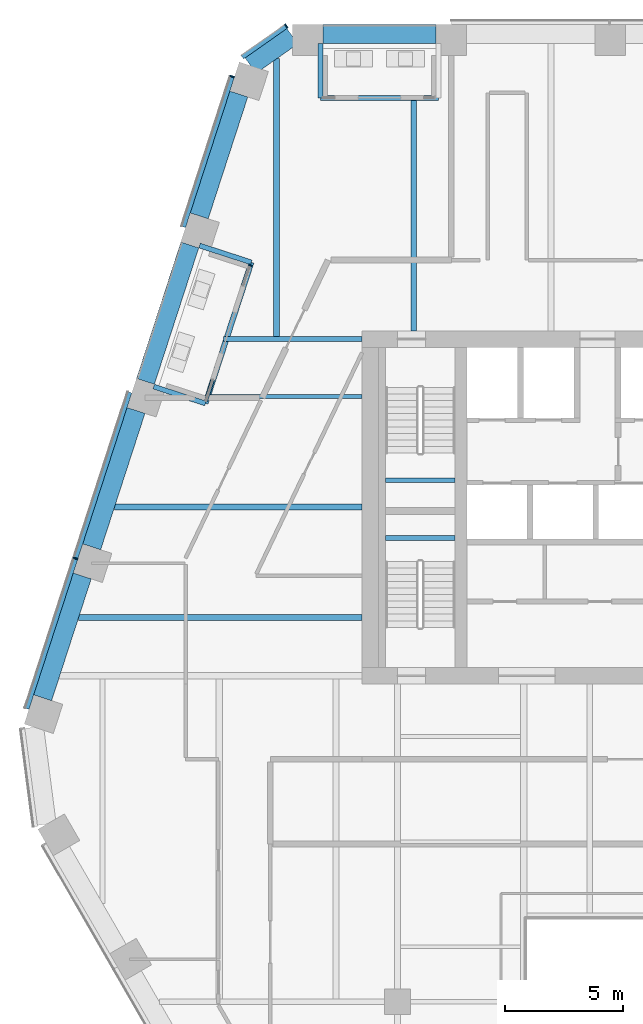
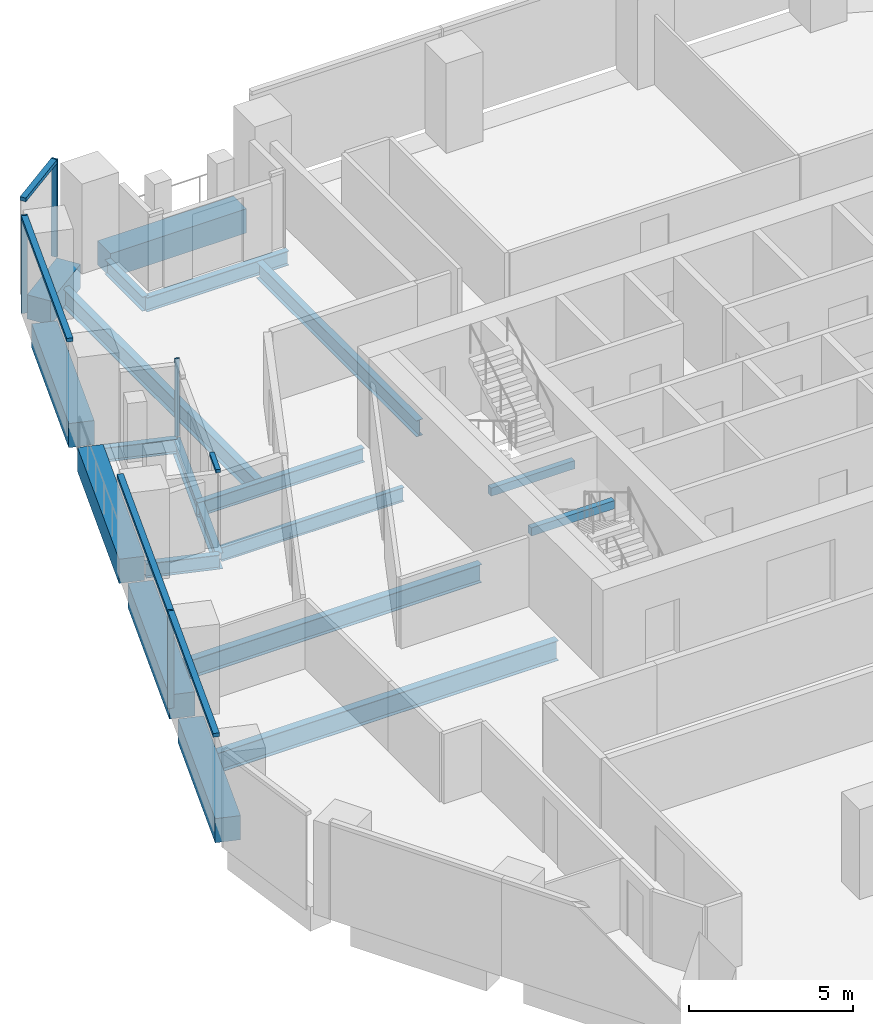
# One storey, part 8 of 26: 19 beams, 9 members, 3 elements without a shape of their own.
"""IFC4 building model written with IfcOpenShell, lengths in metres."""

from ifc_helpers import new_model, si_unit, direction, frame, origin, origin_2d, place, context, subcontext, project, spatial, rectangle, i_section, extrude, material, layer, layer_set, material_profile, profile_set, type_object, element, aggregate, save


model = new_model("IFC4")

# Units and contexts
model_context = context("Model", 3, precision=1e-05, world=origin(), true_north=direction((0.0, 1.0)))
body_context = subcontext(model_context, "Body", "Model", "MODEL_VIEW")
ifc_project = project(units=[si_unit("LENGTHUNIT", "METRE"), si_unit("AREAUNIT", "SQUARE_METRE"), si_unit("VOLUMEUNIT", "CUBIC_METRE"), si_unit("PLANEANGLEUNIT", "RADIAN"), si_unit("MASSUNIT", "GRAM", prefix="KILO")], contexts=[model_context])

# Site, building, storey
site_placement = place(None, origin())
site = spatial("IfcSite", under=ifc_project, at=site_placement, CompositionType="ELEMENT")
building_placement = place(site_placement, origin())
building = spatial("IfcBuilding", under=site, at=building_placement, Name="Isthmus Gate Tower", CompositionType="ELEMENT")
storey_placement = place(building_placement, frame((0.0, 0.0, 203.64990234375)))
storey = spatial("IfcBuildingStorey", under=building, at=storey_placement, Name="L51", CompositionType="ELEMENT", Elevation=203.64990234375)

# Curtain wall, member
ifc_material_1 = material(Name="Aluminium, pale champagne anodised", Category="aluminium")
ifc_layer_1 = layer(ifc_material_1, 0.199951171875)
ifc_layer_set_1 = layer_set([ifc_layer_1], Name="CW-1 UNITISED CURTAIN WALL 200 DEEP")
curtain_wall_type_1 = type_object("IfcCurtainWallType", Name="CW-1 UNITISED CURTAIN WALL 200 DEEP", PredefinedType="NOTDEFINED", material=ifc_layer_set_1)
curtain_wall_1_placement = place(storey_placement, origin())
curtain_wall_1 = element("IfcCurtainWall", 1, at=curtain_wall_1_placement, inside=storey, type_object=curtain_wall_type_1, Name="CW-1 N-NW L51", PredefinedType="NOTDEFINED")
ifc_material_2 = material(Name="Aluminium, pale champagne anodised", Category="aluminium")
ifc_material_profile_1 = material_profile(ifc_material_2, rectangle(XDim=0.06005859375, YDim=0.199951171875, at=origin_2d()), Name="60x200")
ifc_profile_set_1 = profile_set([ifc_material_profile_1], Name="Aluminium, pale champagne anodised")
member_type_1 = type_object("IfcMemberType", Name="CW-1 MULLION 60 X 200", PredefinedType="MULLION", material=ifc_profile_set_1)
member_1_placement = place(storey_placement, frame((-18.216552734375, 27.943115234375, 0.0), z_axis=(0.0, 0.0, 1.0), x_axis=(-0.81785959165, -0.57541783805, 0.0)))
member_1 = element("IfcMember", 2, at=member_1_placement, type_object=member_type_1, Name="CW-1 mullion", PredefinedType="MULLION", context=body_context, shape_type="SweptSolid", body=[
    extrude(rectangle(XDim=0.06005859375, YDim=0.199951171875, at=origin_2d()), origin(), (0.0, 0.0, 1.0), 3.650146484375),
])

# Curtain wall, members
curtain_wall_2_placement = place(storey_placement, origin())
curtain_wall_2 = element("IfcCurtainWall", 3, at=curtain_wall_2_placement, inside=storey, type_object=curtain_wall_type_1, Name="CW-1 NW L51", PredefinedType="NOTDEFINED")
member_2_placement = place(storey_placement, frame((-20.52001953125, 25.799072265625, 0.0), z_axis=(0.0, 0.0, 1.0), x_axis=(-0.309016994375, -0.951056516295, 0.0)))
member_2 = element("IfcMember", 4, at=member_2_placement, type_object=member_type_1, Name="CW-1 mullion", PredefinedType="MULLION", context=body_context, shape_type="SweptSolid", body=[
    extrude(rectangle(XDim=0.06005859375, YDim=0.199951171875, at=origin_2d()), origin(), (0.0, 0.0, 1.0), 3.650146484375),
])
member_3_placement = place(storey_placement, frame((-27.1708984375, 5.330078125, 0.0), z_axis=(0.0, 0.0, 1.0), x_axis=(-0.309016994375, -0.951056516295, 0.0)))
member_3 = element("IfcMember", 5, at=member_3_placement, type_object=member_type_1, Name="CW-1 mullion", PredefinedType="MULLION", context=body_context, shape_type="SweptSolid", body=[
    extrude(rectangle(XDim=0.06005859375, YDim=0.199951171875, at=origin_2d()), origin(), (0.0, 0.0, 1.0), 3.650146484375),
])

# Member
ifc_material_3 = material(Name="Aluminium, pale champagne anodised", Category="aluminium")
ifc_material_profile_2 = material_profile(ifc_material_3, rectangle(XDim=0.199951171875, YDim=0.139892578125, at=origin_2d()), Name="200x140")
ifc_profile_set_2 = profile_set([ifc_material_profile_2], Name="Aluminium, pale champagne anodised")
member_type_2 = type_object("IfcMemberType", Name="CW-1 TRANSOM 200 X 140", PredefinedType="USERDEFINED", material=ifc_profile_set_2)
member_4_placement = place(storey_placement, frame((-18.2412109375, 27.92578125, 3.580078125), z_axis=(-0.817868595604, -0.575405040233, 0.0), x_axis=(0.575405040233, -0.817868595604, 0.0)))
member_4 = element("IfcMember", 6, at=member_4_placement, type_object=member_type_2, Name="CW-1 transom", ObjectType="TRANSOM", PredefinedType="USERDEFINED", context=body_context, shape_type="SweptSolid", body=[
    extrude(rectangle(XDim=0.199951171875, YDim=0.139892578125, at=origin_2d()), origin(), (0.0, 0.0, 1.0), 2.258544921875),
])

aggregate(curtain_wall_1, [member_1, member_4])

member_5_placement = place(storey_placement, frame((-20.529296875, 25.7705078125, 3.580078125), z_axis=(-0.309015834351, -0.951056893209, 0.0), x_axis=(0.951056893209, -0.309015834351, 0.0)))
member_5 = element("IfcMember", 7, at=member_5_placement, type_object=member_type_2, Name="CW-1 transom", ObjectType="TRANSOM", PredefinedType="USERDEFINED", context=body_context, shape_type="SweptSolid", body=[
    extrude(rectangle(XDim=0.199951171875, YDim=0.139892578125, at=origin_2d()), origin(), (0.0, 0.0, 1.0), 6.6806640625),
])

member_6_placement = place(storey_placement, frame((-24.877685546875, 12.3876953125, 3.580078125), z_axis=(-0.309024076379, -0.951054215183, 0.0), x_axis=(0.951054215183, -0.309024076379, 0.0)))
member_6 = element("IfcMember", 8, at=member_6_placement, type_object=member_type_2, Name="CW-1 transom", ObjectType="TRANSOM", PredefinedType="USERDEFINED", context=body_context, shape_type="SweptSolid", body=[
    extrude(rectangle(XDim=0.199951171875, YDim=0.139892578125, at=origin_2d()), origin(), (0.0, 0.0, 1.0), 7.390869140625),
])

member_7_placement = place(storey_placement, frame((-27.18017578125, 5.301513671875, 3.580078125), z_axis=(-0.309015834351, -0.951056893209, 0.0), x_axis=(0.951056893209, -0.309015834351, 0.0)))
member_7 = element("IfcMember", 9, at=member_7_placement, type_object=member_type_2, Name="CW-1 transom", ObjectType="TRANSOM", PredefinedType="USERDEFINED", context=body_context, shape_type="SweptSolid", body=[
    extrude(rectangle(XDim=0.199951171875, YDim=0.139892578125, at=origin_2d()), origin(), (0.0, 0.0, 1.0), 6.6806640625),
])

aggregate(curtain_wall_2, [member_2, member_5, member_6, member_3, member_7])

# Curtain wall, members
ifc_material_4 = material(Name="Aluminium, pale champagne anodised", Category="aluminium")
ifc_layer_2 = layer(ifc_material_4, 0.14990234375)
ifc_layer_set_2 = layer_set([ifc_layer_2], Name="CW-6 LOGGIA BACK WALL GLAZING 150 DEEP")
curtain_wall_type_2 = type_object("IfcCurtainWallType", Name="CW-6 LOGGIA BACK WALL GLAZING 150 DEEP", PredefinedType="NOTDEFINED", material=ifc_layer_set_2)
curtain_wall_3_placement = place(storey_placement, origin())
curtain_wall_3 = element("IfcCurtainWall", 10, at=curtain_wall_3_placement, inside=storey, type_object=curtain_wall_type_2, Name="CW-6 NW L51", PredefinedType="NOTDEFINED")
ifc_material_5 = material(Name="Aluminium, pale champagne anodised", Category="aluminium")
ifc_material_profile_3 = material_profile(ifc_material_5, rectangle(XDim=0.06005859375, YDim=0.14990234375, at=origin_2d()), Name="60x150")
ifc_profile_set_3 = profile_set([ifc_material_profile_3], Name="Aluminium, pale champagne anodised")
member_type_3 = type_object("IfcMemberType", Name="CW-6 MULLION 60 X 150", PredefinedType="MULLION", material=ifc_profile_set_3)
member_8_placement = place(storey_placement, frame((-19.760498046875, 17.78125, 0.0), z_axis=(0.0, 0.0, 1.0), x_axis=(-0.309016994375, -0.951056516295, 0.0)))
member_8 = element("IfcMember", 11, at=member_8_placement, type_object=member_type_3, Name="CW-6 mullion", PredefinedType="MULLION", context=body_context, shape_type="SweptSolid", body=[
    extrude(rectangle(XDim=0.06005859375, YDim=0.14990234375, at=origin_2d()), origin(), (0.0, 0.0, 1.0), 2.900146484375),
])
ifc_material_6 = material(Name="Aluminium, pale champagne anodised", Category="aluminium")
ifc_material_profile_4 = material_profile(ifc_material_6, rectangle(XDim=0.14990234375, YDim=0.1201171875, at=origin_2d()), Name="150x120")
ifc_profile_set_4 = profile_set([ifc_material_profile_4], Name="Aluminium, pale champagne anodised")
member_type_4 = type_object("IfcMemberType", Name="CW-6 TRANSOM 150 X 120", PredefinedType="USERDEFINED", material=ifc_profile_set_4)
member_9_placement = place(storey_placement, frame((-21.34130859375, 12.916259765625, 2.840087890625), z_axis=(-0.309091911159, -0.951032171094, 0.0), x_axis=(0.951032171094, -0.309091911159, 0.0)))
member_9 = element("IfcMember", 12, at=member_9_placement, type_object=member_type_4, Name="CW-6 transom", ObjectType="TRANSOM", PredefinedType="USERDEFINED", context=body_context, shape_type="SweptSolid", body=[
    extrude(rectangle(XDim=0.14990234375, YDim=0.1201171875, at=origin_2d()), origin(), (0.0, 0.0, 1.0), 0.945556640625),
])
aggregate(curtain_wall_3, [member_8, member_9])

# Beams
ifc_material_7 = material(Name="Concrete f'c 60 MPa", Category="concrete")
ifc_material_profile_5 = material_profile(ifc_material_7, rectangle(XDim=0.800048828125, YDim=0.89990234375, at=origin_2d()), Name="RC 800X900")
ifc_profile_set_5 = profile_set([ifc_material_profile_5], Name="Concrete f'c 60 MPa")
beam_type_1 = type_object("IfcBeamType", Name="RC SPANDREL 800 X 900", PredefinedType="SPANDREL", material=ifc_profile_set_5)
beam_1_placement = place(storey_placement, frame((-28.568115234375, -0.588623046875, -0.449951171875), z_axis=(0.308989680586, 0.95106539065, 0.0), x_axis=(-0.95106539065, 0.308989680586, 0.0)))
element("IfcBeam", 13, at=beam_1_placement, inside=storey, type_object=beam_type_1, Name="str-spandrel-L51-21", PredefinedType="SPANDREL", context=body_context, shape_type="SweptSolid", body=[
    extrude(rectangle(XDim=0.800048828125, YDim=0.89990234375, at=origin_2d()), origin(), (0.0, 0.0, 1.0), 5.44091796875),
])
for number, where, z_axis, x_axis, name in (
    (14, (-26.485107421875, 5.822265625, -0.449951171875), (0.309003593002, 0.951060870561, 0.0), (-0.951060870561, 0.309003593002, 0.0), "str-spandrel-L51-22"),
    (15, (-24.201416015625, 12.851318359375, -0.449951171875), (0.309039848514, 0.951049090232, 0.0), (-0.951049090232, 0.309039848514, 0.0), "str-spandrel-L51-23"),
):
    element("IfcBeam", number, at=place(storey_placement, frame(where, z_axis=z_axis, x_axis=x_axis)), inside=storey, type_object=beam_type_1, Name=name, PredefinedType="SPANDREL", context=body_context, shape_type="SweptSolid", body=[
        extrude(rectangle(XDim=0.800048828125, YDim=0.89990234375, at=origin_2d()), origin(), (0.0, 0.0, 1.0), 6.0908203125),
    ])
beam_2_placement = place(storey_placement, frame((-21.91748046875, 19.88037109375, -0.449951171875), z_axis=(0.309030267747, 0.951052203413, 0.0), x_axis=(-0.951052203413, 0.309030267747, 0.0)))
element("IfcBeam", 16, at=beam_2_placement, inside=storey, type_object=beam_type_1, Name="str-spandrel-L51-24", PredefinedType="SPANDREL", context=body_context, shape_type="SweptSolid", body=[
    extrude(rectangle(XDim=0.800048828125, YDim=0.89990234375, at=origin_2d()), origin(), (0.0, 0.0, 1.0), 5.44091796875),
])
beam_3_placement = place(storey_placement, frame((-19.7392578125, 26.260498046875, -0.449951171875), z_axis=(0.817857331203, 0.575421050882, 0.0), x_axis=(-0.575421050882, 0.817857331203, 0.0)))
element("IfcBeam", 17, at=beam_3_placement, inside=storey, type_object=beam_type_1, Name="str-spandrel-L51-25", PredefinedType="SPANDREL", context=body_context, shape_type="SweptSolid", body=[
    extrude(rectangle(XDim=0.800048828125, YDim=0.89990234375, at=origin_2d()), origin(), (0.0, 0.0, 1.0), 2.173095703125),
])
beam_4_placement = place(storey_placement, frame((-16.661865234375, 27.60009765625, -0.449951171875), z_axis=(1.0, 0.0, 0.0), x_axis=(0.0, 1.0, 0.0)))
element("IfcBeam", 18, at=beam_4_placement, inside=storey, type_object=beam_type_1, Name="str-spandrel-L51-26", PredefinedType="SPANDREL", context=body_context, shape_type="SweptSolid", body=[
    extrude(rectangle(XDim=0.800048828125, YDim=0.89990234375, at=origin_2d()), origin(), (0.0, 0.0, 1.0), 4.800048828125),
])
ifc_material_8 = material(Name="Concrete f'c 40 MPa", Category="concrete")
ifc_material_profile_6 = material_profile(ifc_material_8, rectangle(XDim=0.199951171875, YDim=0.300048828125, at=origin_2d()), Name="STAIR LANDING BEAM RC 200 X 300")
ifc_profile_set_6 = profile_set([ifc_material_profile_6], Name="Concrete f'c 40 MPa")
beam_type_2 = type_object("IfcBeamType", Name="STAIR LANDING BEAM RC 200 X 300", PredefinedType="BEAM", material=ifc_profile_set_6)
for number, where, z_axis, x_axis, name in (
    (19, (-14.0, 8.64990234375, 1.47509765625), (1.0, 0.0, 0.0), (0.0, 1.0, 0.0), "L51 ST1 landing beam 1"),
    (20, (-14.0, 6.199951171875, 1.47509765625), (1.0, 0.0, 0.0), (0.0, 1.0, 0.0), "L51 ST7 landing beam 1"),
):
    element("IfcBeam", number, at=place(storey_placement, frame(where, z_axis=z_axis, x_axis=x_axis)), inside=storey, type_object=beam_type_2, Name=name, PredefinedType="BEAM", context=body_context, shape_type="SweptSolid", body=[
        extrude(rectangle(XDim=0.199951171875, YDim=0.300048828125, at=origin_2d()), origin(), (0.0, 0.0, 1.0), 2.949951171875),
    ])
ifc_material_9 = material(Name="Structural steel ASTM A992 Gr 50", Category="steel")
ifc_material_profile_7 = material_profile(ifc_material_9, i_section(OverallWidth=0.1650390625, OverallDepth=0.52392578125, WebThickness=0.009521484375, FlangeThickness=0.010986328125, at=origin_2d()), Name="W21X44")
ifc_profile_set_7 = profile_set([ifc_material_profile_7], Name="Structural steel ASTM A992 Gr 50")
beam_type_3 = type_object("IfcBeamType", Name="STEEL FLOOR BEAM W21X44", PredefinedType="JOIST", material=ifc_profile_set_7)
beam_5_placement = place(storey_placement, frame((-21.4384765625, 12.201416015625, -0.411865234375), z_axis=(1.0, 0.0, 0.0), x_axis=(0.0, 1.0, 0.0)))
element("IfcBeam", 21, at=beam_5_placement, inside=storey, type_object=beam_type_3, Name="str-beam-L51-02-02", PredefinedType="JOIST", context=body_context, shape_type="SweptSolid", body=[
    extrude(i_section(OverallWidth=0.1650390625, OverallDepth=0.52392578125, WebThickness=0.009521484375, FlangeThickness=0.010986328125, at=origin_2d()), origin(), (0.0, 0.0, 1.0), 6.4384765625),
])
ifc_material_10 = material(Name="Structural steel ASTM A992 Gr 50", Category="steel")
ifc_material_profile_8 = material_profile(ifc_material_10, i_section(OverallWidth=0.228515625, OverallDepth=0.603271484375, WebThickness=0.010986328125, FlangeThickness=0.014404296875, at=origin_2d()), Name="W24X68")
ifc_profile_set_8 = profile_set([ifc_material_profile_8], Name="Structural steel ASTM A992 Gr 50")
beam_type_4 = type_object("IfcBeamType", Name="STEEL FLOOR BEAM W24X68", PredefinedType="JOIST", material=ifc_profile_set_8)
beam_6_placement = place(storey_placement, frame((-12.802490234375, 15.0, -0.451416015625), z_axis=(0.0, 1.0, 0.0), x_axis=(-1.0, 0.0, 0.0)))
element("IfcBeam", 22, at=beam_6_placement, inside=storey, type_object=beam_type_4, Name="str-beam-L51-08-01", PredefinedType="JOIST", context=body_context, shape_type="SweptSolid", body=[
    extrude(i_section(OverallWidth=0.228515625, OverallDepth=0.603271484375, WebThickness=0.010986328125, FlangeThickness=0.014404296875, at=origin_2d()), origin(), (0.0, 0.0, 1.0), 9.79052734375),
])
ifc_material_11 = material(Name="Structural steel ASTM A992 Gr 50", Category="steel")
ifc_material_profile_9 = material_profile(ifc_material_11, i_section(OverallWidth=0.25390625, OverallDepth=0.679443359375, WebThickness=0.010986328125, FlangeThickness=0.015869140625, at=origin_2d()), Name="W27X84")
ifc_profile_set_9 = profile_set([ifc_material_profile_9], Name="Structural steel ASTM A992 Gr 50")
beam_type_5 = type_object("IfcBeamType", Name="STEEL FLOOR BEAM W27X84", PredefinedType="JOIST", material=ifc_profile_set_9)
beam_7_placement = place(storey_placement, frame((-25.51513671875, 7.513427734375, -0.489501953125), z_axis=(1.0, 0.0, 0.0), x_axis=(0.0, 1.0, 0.0)))
element("IfcBeam", 23, at=beam_7_placement, inside=storey, type_object=beam_type_5, Name="str-beam-L51-02-01", PredefinedType="JOIST", context=body_context, shape_type="SweptSolid", body=[
    extrude(i_section(OverallWidth=0.25390625, OverallDepth=0.679443359375, WebThickness=0.010986328125, FlangeThickness=0.015869140625, at=origin_2d()), origin(), (0.0, 0.0, 1.0), 10.51513671875),
])
beam_8_placement = place(storey_placement, frame((-18.62548828125, 14.754638671875, -0.489501953125), z_axis=(0.0, 1.0, 0.0), x_axis=(-1.0, 0.0, 0.0)))
element("IfcBeam", 24, at=beam_8_placement, inside=storey, type_object=beam_type_5, Name="str-beam-L51-08-00", PredefinedType="JOIST", context=body_context, shape_type="SweptSolid", body=[
    extrude(i_section(OverallWidth=0.25390625, OverallDepth=0.679443359375, WebThickness=0.010986328125, FlangeThickness=0.015869140625, at=origin_2d()), origin(), (0.0, 0.0, 1.0), 11.80029296875),
])
ifc_material_12 = material(Name="Structural steel ASTM A992 Gr 50", Category="steel")
ifc_material_profile_10 = material_profile(ifc_material_12, i_section(OverallWidth=0.263427734375, OverallDepth=0.749267578125, WebThickness=0.0126953125, FlangeThickness=0.015869140625, at=origin_2d()), Name="W30X90")
ifc_profile_set_10 = profile_set([ifc_material_profile_10], Name="Structural steel ASTM A992 Gr 50")
beam_type_6 = type_object("IfcBeamType", Name="STEEL FLOOR BEAM W30X90", PredefinedType="JOIST", material=ifc_profile_set_10)
beam_9_placement = place(storey_placement, frame((-27.038330078125, 2.82568359375, -0.524658203125), z_axis=(1.0, 0.0, 0.0), x_axis=(0.0, 1.0, 0.0)))
element("IfcBeam", 25, at=beam_9_placement, inside=storey, type_object=beam_type_6, Name="str-beam-L51-02-00", PredefinedType="JOIST", context=body_context, shape_type="SweptSolid", body=[
    extrude(i_section(OverallWidth=0.263427734375, OverallDepth=0.749267578125, WebThickness=0.0126953125, FlangeThickness=0.015869140625, at=origin_2d()), origin(), (0.0, 0.0, 1.0), 12.038330078125),
])
ifc_material_13 = material(Name="Structural steel ASTM A992 Gr 50", Category="steel")
ifc_material_profile_11 = material_profile(ifc_material_13, i_section(OverallWidth=0.20947265625, OverallDepth=0.533447265625, WebThickness=0.009521484375, FlangeThickness=0.015869140625, at=origin_2d()), Name="W21X62")
ifc_profile_set_11 = profile_set([ifc_material_profile_11], Name="Structural steel ASTM A992 Gr 50")
beam_type_7 = type_object("IfcBeamType", Name="STEEL GIRDER W21X62", PredefinedType="BEAM", material=ifc_profile_set_11)
beam_10_placement = place(storey_placement, frame((-15.0, 14.64990234375, -0.41650390625), z_axis=(-1.0, 0.0, 0.0), x_axis=(0.0, -1.0, 0.0)))
element("IfcBeam", 26, at=beam_10_placement, inside=storey, type_object=beam_type_7, Name="str-girder-L51-15", PredefinedType="BEAM", context=body_context, shape_type="SweptSolid", body=[
    extrude(i_section(OverallWidth=0.20947265625, OverallDepth=0.533447265625, WebThickness=0.009521484375, FlangeThickness=0.015869140625, at=origin_2d()), origin(), (0.0, 0.0, 1.0), 5.883056640625),
])
ifc_material_14 = material(Name="Structural steel ASTM A992 Gr 50", Category="steel")
ifc_material_profile_12 = material_profile(ifc_material_14, i_section(OverallWidth=0.20947265625, OverallDepth=0.533447265625, WebThickness=0.009521484375, FlangeThickness=0.015869140625, at=origin_2d()), Name="W21X62")
ifc_profile_set_12 = profile_set([ifc_material_profile_12], Name="Structural steel ASTM A992 Gr 50")
beam_type_8 = type_object("IfcBeamType", Name="STEEL TRIMMER W21X62", PredefinedType="BEAM", material=ifc_profile_set_12)
beam_11_placement = place(storey_placement, frame((-11.757080078125, 24.895263671875, -0.41650390625), z_axis=(-1.0, 0.0, 0.0), x_axis=(0.0, -1.0, 0.0)))
element("IfcBeam", 27, at=beam_11_placement, inside=storey, type_object=beam_type_8, Name="str-loggiatrim-L51-01-B", PredefinedType="BEAM", context=body_context, shape_type="SweptSolid", body=[
    extrude(i_section(OverallWidth=0.20947265625, OverallDepth=0.533447265625, WebThickness=0.009521484375, FlangeThickness=0.015869140625, at=origin_2d()), origin(), (0.0, 0.0, 1.0), 5.009521484375),
])
beam_12_placement = place(storey_placement, frame((-16.7666015625, 27.199951171875, -0.41650390625), z_axis=(0.0, -1.0, 0.0), x_axis=(1.0, 0.0, 0.0)))
element("IfcBeam", 28, at=beam_12_placement, inside=storey, type_object=beam_type_8, Name="str-loggiatrim-L51-01-C", PredefinedType="BEAM", context=body_context, shape_type="SweptSolid", body=[
    extrude(i_section(OverallWidth=0.20947265625, OverallDepth=0.533447265625, WebThickness=0.009521484375, FlangeThickness=0.015869140625, at=origin_2d()), origin(), (0.0, 0.0, 1.0), 2.3046875),
])
beam_13_placement = place(storey_placement, frame((-21.906494140625, 18.6201171875, -0.41650390625), z_axis=(0.951071271518, -0.308971578779, 0.0), x_axis=(0.308971578779, 0.951071271518, 0.0)))
element("IfcBeam", 29, at=beam_13_placement, inside=storey, type_object=beam_type_8, Name="str-loggiatrim-L51-02-A", PredefinedType="BEAM", context=body_context, shape_type="SweptSolid", body=[
    extrude(i_section(OverallWidth=0.20947265625, OverallDepth=0.533447265625, WebThickness=0.009521484375, FlangeThickness=0.015869140625, at=origin_2d()), origin(), (0.0, 0.0, 1.0), 2.314453125),
])
beam_14_placement = place(storey_placement, frame((-23.853271484375, 12.628173828125, -0.41650390625), z_axis=(0.951061199846, -0.309002579517, 0.0), x_axis=(0.309002579517, 0.951061199846, 0.0)))
element("IfcBeam", 30, at=beam_14_placement, inside=storey, type_object=beam_type_8, Name="str-loggiatrim-L51-02-C", PredefinedType="BEAM", context=body_context, shape_type="SweptSolid", body=[
    extrude(i_section(OverallWidth=0.20947265625, OverallDepth=0.533447265625, WebThickness=0.009521484375, FlangeThickness=0.015869140625, at=origin_2d()), origin(), (0.0, 0.0, 1.0), 2.314208984375),
])
ifc_material_15 = material(Name="Structural steel ASTM A992 Gr 50", Category="steel")
ifc_material_profile_13 = material_profile(ifc_material_15, i_section(OverallWidth=0.228515625, OverallDepth=0.603271484375, WebThickness=0.010986328125, FlangeThickness=0.014404296875, at=origin_2d()), Name="W24X68")
ifc_profile_set_13 = profile_set([ifc_material_profile_13], Name="Structural steel ASTM A992 Gr 50")
beam_type_9 = type_object("IfcBeamType", Name="STEEL TRIMMER W24X68", PredefinedType="BEAM", material=ifc_profile_set_13)
beam_15_placement = place(storey_placement, frame((-19.705322265625, 17.905029296875, -0.451416015625), z_axis=(-0.309034375485, -0.951050868655, 0.0), x_axis=(0.951050868655, -0.309034375485, 0.0)))
element("IfcBeam", 31, at=beam_15_placement, inside=storey, type_object=beam_type_9, Name="str-loggiatrim-L51-02-B", PredefinedType="BEAM", context=body_context, shape_type="SweptSolid", body=[
    extrude(i_section(OverallWidth=0.228515625, OverallDepth=0.603271484375, WebThickness=0.010986328125, FlangeThickness=0.014404296875, at=origin_2d()), origin(), (0.0, 0.0, 1.0), 6.30029296875),
])

save(model, "model.ifc")
